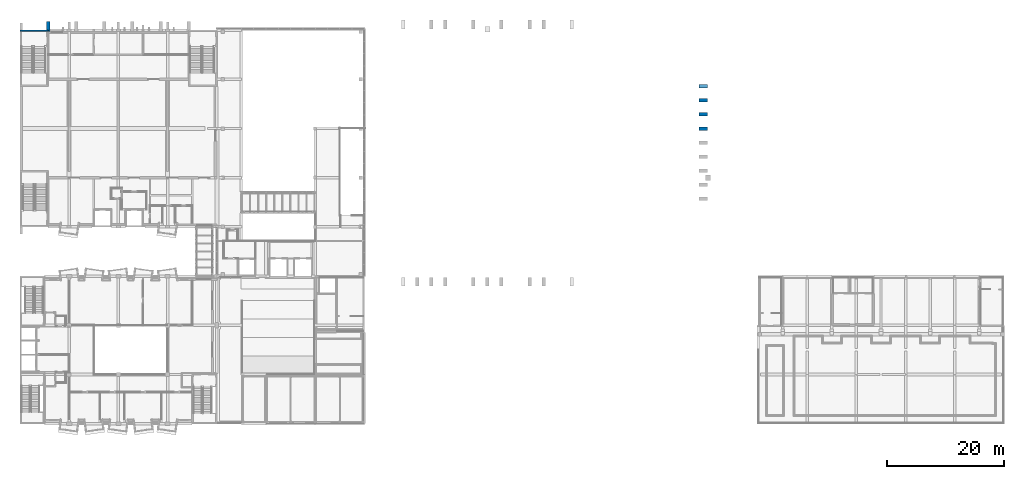
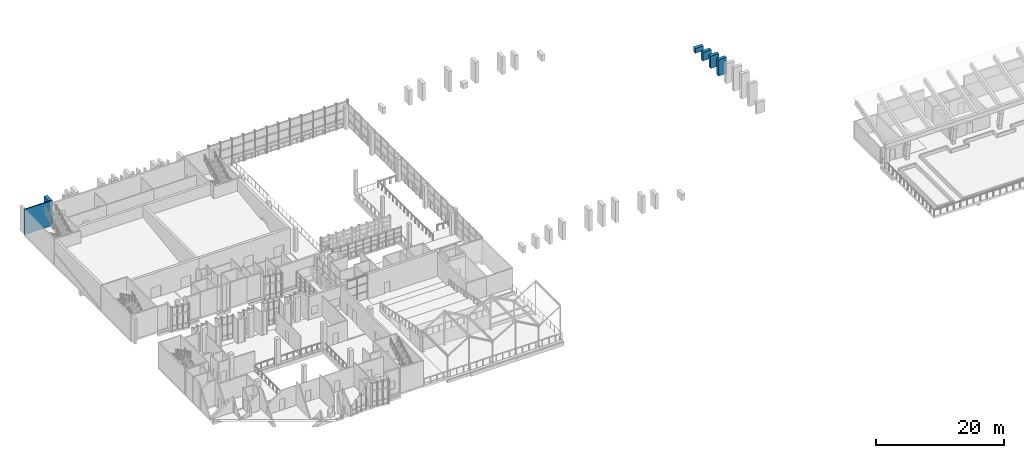
# One storey, part 47 of 67: 6 walls.
"""IFC4 building model written with IfcOpenShell, lengths in metres."""

from ifc_helpers import new_model, si_unit, direction, frame, frame_2d, origin, place, context, subcontext, project, spatial, rectangle, extrude, material, layer, layer_set, type_object, element, save


model = new_model("IFC4")

# Units and contexts
model_context = context("Model", 3, precision=1e-05, world=origin(), true_north=direction((0.0, 1.0)))
body_context = subcontext(model_context, "Body", "Model", "MODEL_VIEW")
ifc_project = project(units=[si_unit("LENGTHUNIT", "METRE"), si_unit("AREAUNIT", "SQUARE_METRE"), si_unit("VOLUMEUNIT", "CUBIC_METRE"), si_unit("PLANEANGLEUNIT", "RADIAN"), si_unit("MASSUNIT", "GRAM", prefix="KILO")], contexts=[model_context])

# Site, building, storey
site_placement = place(None, origin())
site = spatial("IfcSite", under=ifc_project, at=site_placement, CompositionType="ELEMENT")
building_placement = place(site_placement, origin())
building = spatial("IfcBuilding", under=site, at=building_placement, Name="Kiln Court Media Centre", CompositionType="ELEMENT")
storey_placement = place(building_placement, frame((0.0, 0.0, 19.800048828125)))
storey = spatial("IfcBuildingStorey", under=building, at=storey_placement, Name="L04", CompositionType="ELEMENT", Elevation=19.800048828125)

# Walls
ifc_material_1 = material(Name="Concrete C40/50", Category="concrete")
ifc_layer_1 = layer(ifc_material_1, 0.60009765625)
ifc_layer_set_1 = layer_set([ifc_layer_1], Name="Concrete C40/50 cast rib 600x1500")
wall_type_1 = type_object("IfcWallType", Name="Concrete C40/50 cast rib 600x1500", PredefinedType="SOLIDWALL", material=ifc_layer_set_1)
wall_1_placement = place(storey_placement, frame((117.386474609375, 50.39990234375, 0.0), z_axis=(0.0, 0.0, 1.0), x_axis=(-1.0, 0.0, 0.0)))
element("IfcWall", 1, at=wall_1_placement, inside=storey, type_object=wall_type_1, Name="V2 W gable rib", PredefinedType="SOLIDWALL", context=body_context, shape_type="SweptSolid", body=[
    extrude(rectangle(XDim=1.5, YDim=0.60009765625, at=frame_2d((0.75, 0.0))), origin(), (0.0, 0.0, 1.0), 3.090576171875),
])
wall_2_placement = place(storey_placement, frame((117.386474609375, 52.800048828125, 0.0), z_axis=(0.0, 0.0, 1.0), x_axis=(-1.0, 0.0, 0.0)))
element("IfcWall", 2, at=wall_2_placement, inside=storey, type_object=wall_type_1, Name="V2 W gable rib", PredefinedType="SOLIDWALL", context=body_context, shape_type="SweptSolid", body=[
    extrude(rectangle(XDim=1.5, YDim=0.60009765625, at=frame_2d((0.75, 0.0))), origin(), (0.0, 0.0, 1.0), 2.37646484375),
])
wall_3_placement = place(storey_placement, frame((117.386474609375, 55.199951171875, 0.0), z_axis=(0.0, 0.0, 1.0), x_axis=(-1.0, 0.0, 0.0)))
element("IfcWall", 3, at=wall_3_placement, inside=storey, type_object=wall_type_1, Name="V2 W gable rib", PredefinedType="SOLIDWALL", context=body_context, shape_type="SweptSolid", body=[
    extrude(rectangle(XDim=1.5, YDim=0.60009765625, at=frame_2d((0.75, 0.0))), origin(), (0.0, 0.0, 1.0), 1.662109375),
])
wall_4_placement = place(storey_placement, frame((117.386474609375, 57.60009765625, 0.0), z_axis=(0.0, 0.0, 1.0), x_axis=(-1.0, 0.0, 0.0)))
element("IfcWall", 4, at=wall_4_placement, inside=storey, type_object=wall_type_1, Name="V2 W gable rib", PredefinedType="SOLIDWALL", context=body_context, shape_type="SweptSolid", body=[
    extrude(rectangle(XDim=1.5, YDim=0.60009765625, at=frame_2d((0.75, 0.0))), origin(), (0.0, 0.0, 1.0), 0.94775390625),
])
wall_5_placement = place(storey_placement, frame((4.800048828125, 67.0, 0.0), z_axis=(0.0, 0.0, 1.0), x_axis=(0.0, 1.0, 0.0)))
element("IfcWall", 5, at=wall_5_placement, inside=storey, type_object=wall_type_1, Name="V4 N cast rib 1", PredefinedType="SOLIDWALL", context=body_context, shape_type="SweptSolid", body=[
    extrude(rectangle(XDim=1.699951171875, YDim=0.60009765625, at=frame_2d((0.85009765625, 0.0))), origin(), (0.0, 0.0, 1.0), 4.800048828125),
])
ifc_material_2 = material(Name="Concrete C40/50", Category="concrete")
ifc_layer_2 = layer(ifc_material_2, 0.199951171875)
ifc_layer_set_2 = layer_set([ifc_layer_2], Name="Concrete C40/50 shear wall 200")
wall_type_2 = type_object("IfcWallType", Name="Concrete C40/50 shear wall 200", PredefinedType="SHEAR", material=ifc_layer_set_2)
wall_6_placement = place(storey_placement, frame((0.00048828125, 67.10009765625, 0.0), z_axis=(0.0, 0.0, 1.0), x_axis=(1.0, 0.0, 0.0)))
element("IfcWall", 6, at=wall_6_placement, inside=storey, type_object=wall_type_2, Name="L04-W-1021", PredefinedType="SHEAR", context=body_context, shape_type="SweptSolid", body=[
    extrude(rectangle(XDim=4.799560546875, YDim=0.199951171875, at=frame_2d((2.39990234375, 0.0))), origin(), (0.0, 0.0, 1.0), 4.800048828125),
])

save(model, "model.ifc")
